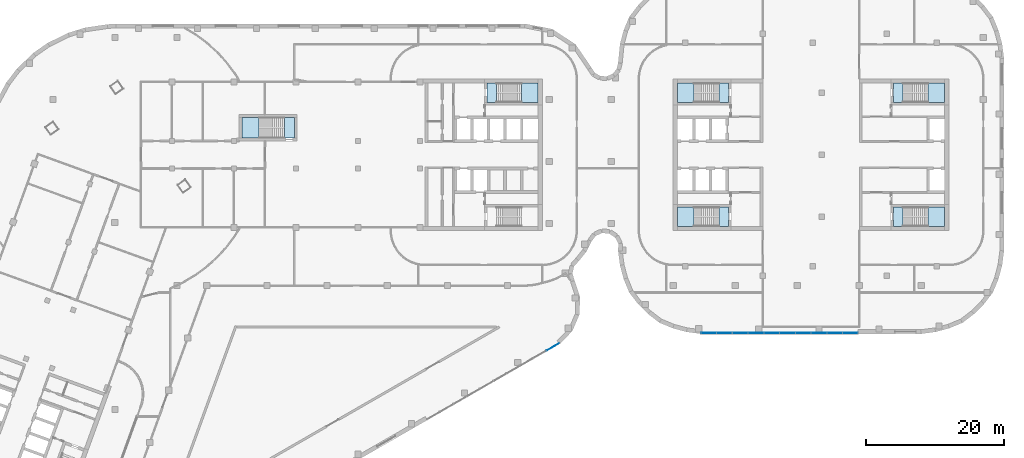
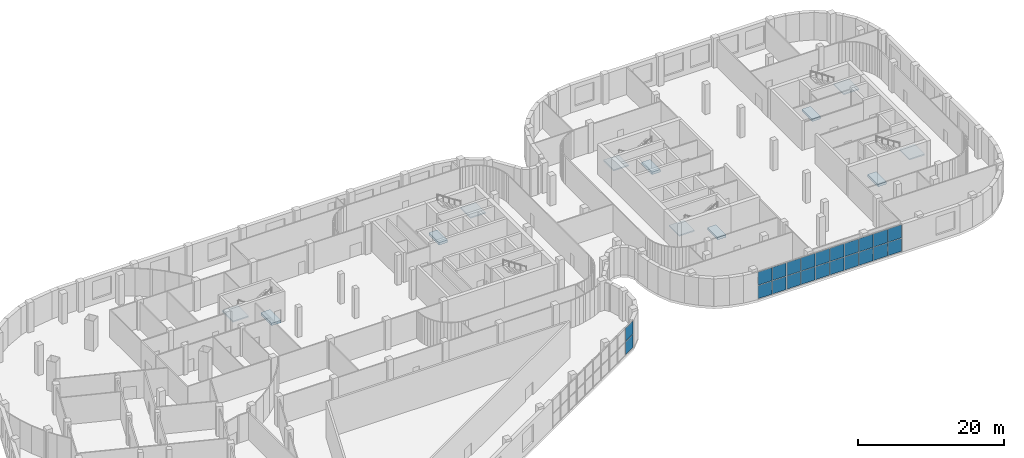
# One storey, part 7 of 24: 22 plates, 12 slabs, 9 elements without a shape of their own.
"""IFC4 building model written with IfcOpenShell, lengths in metres."""

from ifc_helpers import new_model, si_unit, direction, frame, origin, origin_2d, place, context, subcontext, project, spatial, polyline, rectangle, outline, extrude, material, layer, layer_set, type_object, element, aggregate, save


model = new_model("IFC4")

# Units and contexts
model_context = context("Model", 3, precision=1e-05, world=origin(), true_north=direction((0.0, 1.0)))
body_context = subcontext(model_context, "Body", "Model", "MODEL_VIEW")
ifc_project = project(units=[si_unit("LENGTHUNIT", "METRE"), si_unit("AREAUNIT", "SQUARE_METRE"), si_unit("VOLUMEUNIT", "CUBIC_METRE"), si_unit("PLANEANGLEUNIT", "RADIAN"), si_unit("MASSUNIT", "GRAM", prefix="KILO")], contexts=[model_context])

# Site, building, storey
site_placement = place(None, origin())
site = spatial("IfcSite", under=ifc_project, at=site_placement, CompositionType="ELEMENT")
building_placement = place(site_placement, origin())
building = spatial("IfcBuilding", under=site, at=building_placement, Name="Skarvind Civic Tower", CompositionType="ELEMENT")
storey_placement = place(building_placement, frame((0.0, 0.0, 12.5)))
storey = spatial("IfcBuildingStorey", under=building, at=storey_placement, Name="L02", CompositionType="ELEMENT", Elevation=12.5)

# Curtain wall, plates
ifc_material_1 = material(Name="Aluminium alloy 6063 and laminated glass", Category="aluminium")
curtain_wall_type_1 = type_object("IfcCurtainWallType", Name="CW2 TOWER ENTRANCE LOBBY GLAZING", PredefinedType="NOTDEFINED", material=ifc_material_1)
curtain_wall_1_placement = place(storey_placement, origin())
curtain_wall_1 = element("IfcCurtainWall", 1, at=curtain_wall_1_placement, inside=storey, type_object=curtain_wall_type_1, Name="TOWER ENTRANCE LOBBY GLAZING", PredefinedType="NOTDEFINED")
ifc_material_2 = material(Name="Laminated low-iron glass", Category="glass")
ifc_layer_1 = layer(ifc_material_2, 0.031982421875)
ifc_layer_set_1 = layer_set([ifc_layer_1], Name="CW2 GLASS PANEL 32")
plate_type_1 = type_object("IfcPlateType", Name="CW2 GLASS PANEL 32", PredefinedType="CURTAIN_PANEL", material=ifc_layer_set_1)
plate_1_placement = place(storey_placement, frame((109.552734375, 100.10986328125, 0.06982421875), z_axis=(0.0, 0.0, 1.0), x_axis=(-0.866702488463, -0.498825416846, 0.0)))
plate_1 = element("IfcPlate", 2, at=plate_1_placement, type_object=plate_type_1, Name="CW2 panel 1.1", PredefinedType="CURTAIN_PANEL", context=body_context, shape_type="SweptSolid", body=[
    extrude(rectangle(XDim=2.119384765625, YDim=0.031982421875, at=origin_2d()), origin(), (0.0, 0.0, 1.0), 2.195068359375),
])
plate_2_placement = place(storey_placement, frame((109.552734375, 100.10986328125, 2.3349609375), z_axis=(0.0, 0.0, 1.0), x_axis=(-0.866702488463, -0.498825416846, 0.0)))
plate_2 = element("IfcPlate", 3, at=plate_2_placement, type_object=plate_type_1, Name="CW2 panel 1.2", PredefinedType="CURTAIN_PANEL", context=body_context, shape_type="SweptSolid", body=[
    extrude(rectangle(XDim=2.119384765625, YDim=0.031982421875, at=origin_2d()), origin(), (0.0, 0.0, 1.0), 2.195068359375),
])
aggregate(curtain_wall_1, [plate_1, plate_2])

curtain_wall_type_2 = type_object("IfcCurtainWallType", Name="CW6 COMPANION TOWER LOBBY GLAZING", PredefinedType="NOTDEFINED", material=ifc_material_1)
curtain_wall_2_placement = place(storey_placement, origin())
curtain_wall_2 = element("IfcCurtainWall", 4, at=curtain_wall_2_placement, inside=storey, type_object=curtain_wall_type_2, Name="COMPANION TOWER LOBBY GLAZING", PredefinedType="NOTDEFINED")
ifc_layer_2 = layer(ifc_material_2, 0.031982421875)
ifc_layer_set_2 = layer_set([ifc_layer_2], Name="CW6 GLASS PANEL 32")
plate_type_2 = type_object("IfcPlateType", Name="CW6 GLASS PANEL 32", PredefinedType="CURTAIN_PANEL", material=ifc_layer_set_2)
plate_3_placement = place(storey_placement, frame((152.68896484375, 102.110107421875, 0.06982421875), z_axis=(0.0, 0.0, 1.0), x_axis=(-1.0, 0.0, 0.0)))
plate_3 = element("IfcPlate", 5, at=plate_3_placement, type_object=plate_type_2, Name="CW6 panel 1.1", PredefinedType="CURTAIN_PANEL", context=body_context, shape_type="SweptSolid", body=[
    extrude(rectangle(XDim=2.177490234375, YDim=0.031982421875, at=origin_2d()), origin(), (0.0, 0.0, 1.0), 2.195068359375),
])
plate_4_placement = place(storey_placement, frame((152.68896484375, 102.110107421875, 2.3349609375), z_axis=(0.0, 0.0, 1.0), x_axis=(-1.0, 0.0, 0.0)))
plate_4 = element("IfcPlate", 6, at=plate_4_placement, type_object=plate_type_2, Name="CW6 panel 1.2", PredefinedType="CURTAIN_PANEL", context=body_context, shape_type="SweptSolid", body=[
    extrude(rectangle(XDim=2.177490234375, YDim=0.031982421875, at=origin_2d()), origin(), (0.0, 0.0, 1.0), 2.195068359375),
])
plate_5_placement = place(storey_placement, frame((150.423828125, 102.110107421875, 0.06982421875), z_axis=(0.0, 0.0, 1.0), x_axis=(-1.0, 0.0, 0.0)))
plate_5 = element("IfcPlate", 7, at=plate_5_placement, type_object=plate_type_2, Name="CW6 panel 2.1", PredefinedType="CURTAIN_PANEL", context=body_context, shape_type="SweptSolid", body=[
    extrude(rectangle(XDim=2.212646484375, YDim=0.031982421875, at=origin_2d()), origin(), (0.0, 0.0, 1.0), 2.195068359375),
])
plate_6_placement = place(storey_placement, frame((150.423828125, 102.110107421875, 2.3349609375), z_axis=(0.0, 0.0, 1.0), x_axis=(-1.0, 0.0, 0.0)))
plate_6 = element("IfcPlate", 8, at=plate_6_placement, type_object=plate_type_2, Name="CW6 panel 2.2", PredefinedType="CURTAIN_PANEL", context=body_context, shape_type="SweptSolid", body=[
    extrude(rectangle(XDim=2.212646484375, YDim=0.031982421875, at=origin_2d()), origin(), (0.0, 0.0, 1.0), 2.195068359375),
])
plate_7_placement = place(storey_placement, frame((148.141357421875, 102.110107421875, 0.06982421875), z_axis=(0.0, 0.0, 1.0), x_axis=(-1.0, 0.0, 0.0)))
plate_7 = element("IfcPlate", 9, at=plate_7_placement, type_object=plate_type_2, Name="CW6 panel 3.1", PredefinedType="CURTAIN_PANEL", context=body_context, shape_type="SweptSolid", body=[
    extrude(rectangle(XDim=2.212646484375, YDim=0.031982421875, at=origin_2d()), origin(), (0.0, 0.0, 1.0), 2.195068359375),
])
plate_8_placement = place(storey_placement, frame((148.141357421875, 102.110107421875, 2.3349609375), z_axis=(0.0, 0.0, 1.0), x_axis=(-1.0, 0.0, 0.0)))
plate_8 = element("IfcPlate", 10, at=plate_8_placement, type_object=plate_type_2, Name="CW6 panel 3.2", PredefinedType="CURTAIN_PANEL", context=body_context, shape_type="SweptSolid", body=[
    extrude(rectangle(XDim=2.212646484375, YDim=0.031982421875, at=origin_2d()), origin(), (0.0, 0.0, 1.0), 2.195068359375),
])
plate_9_placement = place(storey_placement, frame((145.858642578125, 102.110107421875, 0.06982421875), z_axis=(0.0, 0.0, 1.0), x_axis=(-1.0, 0.0, 0.0)))
plate_9 = element("IfcPlate", 11, at=plate_9_placement, type_object=plate_type_2, Name="CW6 panel 4.1", PredefinedType="CURTAIN_PANEL", context=body_context, shape_type="SweptSolid", body=[
    extrude(rectangle(XDim=2.212646484375, YDim=0.031982421875, at=origin_2d()), origin(), (0.0, 0.0, 1.0), 2.195068359375),
])
plate_10_placement = place(storey_placement, frame((145.858642578125, 102.110107421875, 2.3349609375), z_axis=(0.0, 0.0, 1.0), x_axis=(-1.0, 0.0, 0.0)))
plate_10 = element("IfcPlate", 12, at=plate_10_placement, type_object=plate_type_2, Name="CW6 panel 4.2", PredefinedType="CURTAIN_PANEL", context=body_context, shape_type="SweptSolid", body=[
    extrude(rectangle(XDim=2.212646484375, YDim=0.031982421875, at=origin_2d()), origin(), (0.0, 0.0, 1.0), 2.195068359375),
])
plate_11_placement = place(storey_placement, frame((143.576171875, 102.110107421875, 0.06982421875), z_axis=(0.0, 0.0, 1.0), x_axis=(-1.0, 0.0, 0.0)))
plate_11 = element("IfcPlate", 13, at=plate_11_placement, type_object=plate_type_2, Name="CW6 panel 5.1", PredefinedType="CURTAIN_PANEL", context=body_context, shape_type="SweptSolid", body=[
    extrude(rectangle(XDim=2.212646484375, YDim=0.031982421875, at=origin_2d()), origin(), (0.0, 0.0, 1.0), 2.195068359375),
])
plate_12_placement = place(storey_placement, frame((143.576171875, 102.110107421875, 2.3349609375), z_axis=(0.0, 0.0, 1.0), x_axis=(-1.0, 0.0, 0.0)))
plate_12 = element("IfcPlate", 14, at=plate_12_placement, type_object=plate_type_2, Name="CW6 panel 5.2", PredefinedType="CURTAIN_PANEL", context=body_context, shape_type="SweptSolid", body=[
    extrude(rectangle(XDim=2.212646484375, YDim=0.031982421875, at=origin_2d()), origin(), (0.0, 0.0, 1.0), 2.195068359375),
])
plate_13_placement = place(storey_placement, frame((141.29345703125, 102.110107421875, 0.06982421875), z_axis=(0.0, 0.0, 1.0), x_axis=(-1.0, 0.0, 0.0)))
plate_13 = element("IfcPlate", 15, at=plate_13_placement, type_object=plate_type_2, Name="CW6 panel 6.1", PredefinedType="CURTAIN_PANEL", context=body_context, shape_type="SweptSolid", body=[
    extrude(rectangle(XDim=2.212646484375, YDim=0.031982421875, at=origin_2d()), origin(), (0.0, 0.0, 1.0), 2.195068359375),
])
plate_14_placement = place(storey_placement, frame((141.29345703125, 102.110107421875, 2.3349609375), z_axis=(0.0, 0.0, 1.0), x_axis=(-1.0, 0.0, 0.0)))
plate_14 = element("IfcPlate", 16, at=plate_14_placement, type_object=plate_type_2, Name="CW6 panel 6.2", PredefinedType="CURTAIN_PANEL", context=body_context, shape_type="SweptSolid", body=[
    extrude(rectangle(XDim=2.212646484375, YDim=0.031982421875, at=origin_2d()), origin(), (0.0, 0.0, 1.0), 2.195068359375),
])
plate_15_placement = place(storey_placement, frame((139.010986328125, 102.110107421875, 0.06982421875), z_axis=(0.0, 0.0, 1.0), x_axis=(-1.0, 0.0, 0.0)))
plate_15 = element("IfcPlate", 17, at=plate_15_placement, type_object=plate_type_2, Name="CW6 panel 7.1", PredefinedType="CURTAIN_PANEL", context=body_context, shape_type="SweptSolid", body=[
    extrude(rectangle(XDim=2.212646484375, YDim=0.031982421875, at=origin_2d()), origin(), (0.0, 0.0, 1.0), 2.195068359375),
])
plate_16_placement = place(storey_placement, frame((139.010986328125, 102.110107421875, 2.3349609375), z_axis=(0.0, 0.0, 1.0), x_axis=(-1.0, 0.0, 0.0)))
plate_16 = element("IfcPlate", 18, at=plate_16_placement, type_object=plate_type_2, Name="CW6 panel 7.2", PredefinedType="CURTAIN_PANEL", context=body_context, shape_type="SweptSolid", body=[
    extrude(rectangle(XDim=2.212646484375, YDim=0.031982421875, at=origin_2d()), origin(), (0.0, 0.0, 1.0), 2.195068359375),
])
plate_17_placement = place(storey_placement, frame((136.745849609375, 102.110107421875, 0.06982421875), z_axis=(0.0, 0.0, 1.0), x_axis=(-1.0, 0.0, 0.0)))
plate_17 = element("IfcPlate", 19, at=plate_17_placement, type_object=plate_type_2, Name="CW6 panel 8.1", PredefinedType="CURTAIN_PANEL", context=body_context, shape_type="SweptSolid", body=[
    extrude(rectangle(XDim=2.177490234375, YDim=0.031982421875, at=origin_2d()), origin(), (0.0, 0.0, 1.0), 2.195068359375),
])
plate_18_placement = place(storey_placement, frame((136.745849609375, 102.110107421875, 2.3349609375), z_axis=(0.0, 0.0, 1.0), x_axis=(-1.0, 0.0, 0.0)))
plate_18 = element("IfcPlate", 20, at=plate_18_placement, type_object=plate_type_2, Name="CW6 panel 8.2", PredefinedType="CURTAIN_PANEL", context=body_context, shape_type="SweptSolid", body=[
    extrude(rectangle(XDim=2.177490234375, YDim=0.031982421875, at=origin_2d()), origin(), (0.0, 0.0, 1.0), 2.195068359375),
])
aggregate(curtain_wall_2, [plate_3, plate_4, plate_5, plate_6, plate_7, plate_8, plate_9, plate_10, plate_11, plate_12, plate_13, plate_14, plate_15, plate_16, plate_17, plate_18])

curtain_wall_3_placement = place(storey_placement, origin())
curtain_wall_3 = element("IfcCurtainWall", 21, at=curtain_wall_3_placement, inside=storey, type_object=curtain_wall_type_2, Name="COMPANION TOWER LOBBY GLAZING", PredefinedType="NOTDEFINED")
plate_19_placement = place(storey_placement, frame((134.42822265625, 102.110107421875, 0.06982421875), z_axis=(0.0, 0.0, 1.0), x_axis=(-1.0, 0.0, 0.0)))
plate_19 = element("IfcPlate", 22, at=plate_19_placement, type_object=plate_type_2, Name="CW6 panel 1.1", PredefinedType="CURTAIN_PANEL", context=body_context, shape_type="SweptSolid", body=[
    extrude(rectangle(XDim=2.177490234375, YDim=0.031982421875, at=origin_2d()), origin(), (0.0, 0.0, 1.0), 2.195068359375),
])
plate_20_placement = place(storey_placement, frame((134.42822265625, 102.110107421875, 2.3349609375), z_axis=(0.0, 0.0, 1.0), x_axis=(-1.0, 0.0, 0.0)))
plate_20 = element("IfcPlate", 23, at=plate_20_placement, type_object=plate_type_2, Name="CW6 panel 1.2", PredefinedType="CURTAIN_PANEL", context=body_context, shape_type="SweptSolid", body=[
    extrude(rectangle(XDim=2.177490234375, YDim=0.031982421875, at=origin_2d()), origin(), (0.0, 0.0, 1.0), 2.195068359375),
])
plate_21_placement = place(storey_placement, frame((132.1806640625, 102.110107421875, 0.06982421875), z_axis=(0.0, 0.0, 1.0), x_axis=(-1.0, 0.0, 0.0)))
plate_21 = element("IfcPlate", 24, at=plate_21_placement, type_object=plate_type_2, Name="CW6 panel 2.1", PredefinedType="CURTAIN_PANEL", context=body_context, shape_type="SweptSolid", body=[
    extrude(rectangle(XDim=2.177490234375, YDim=0.031982421875, at=origin_2d()), origin(), (0.0, 0.0, 1.0), 2.195068359375),
])
plate_22_placement = place(storey_placement, frame((132.1806640625, 102.110107421875, 2.3349609375), z_axis=(0.0, 0.0, 1.0), x_axis=(-1.0, 0.0, 0.0)))
plate_22 = element("IfcPlate", 25, at=plate_22_placement, type_object=plate_type_2, Name="CW6 panel 2.2", PredefinedType="CURTAIN_PANEL", context=body_context, shape_type="SweptSolid", body=[
    extrude(rectangle(XDim=2.177490234375, YDim=0.031982421875, at=origin_2d()), origin(), (0.0, 0.0, 1.0), 2.195068359375),
])
aggregate(curtain_wall_3, [plate_19, plate_20, plate_21, plate_22])

# Slabs
ifc_material_3 = material(Name="Concrete C40/50", Category="concrete")
ifc_layer_3 = layer(ifc_material_3, 0.39990234375)
ifc_layer_set_3 = layer_set([ifc_layer_3], Name="Stair floor landing slab 400")
slab_type_1 = type_object("IfcSlabType", Name="Stair floor landing slab 400", PredefinedType="LANDING", material=ifc_layer_set_3)
slab_1_placement = place(storey_placement, frame((0.0, 0.0, -0.39990234375)))
element("IfcSlab", 26, at=slab_1_placement, inside=storey, type_object=slab_type_1, Name="Stair floor landing", PredefinedType="LANDING", context=body_context, shape_type="SweptSolid", body=[
    extrude(outline(polyline([(101.3505859375, 138.400634765625), (101.3505859375, 135.599365234375), (99.99951171875, 135.599365234375), (99.99951171875, 138.400634765625), (101.3505859375, 138.400634765625)])), origin(), (0.0, 0.0, 1.0), 0.39990234375),
])
slab_2_placement = place(storey_placement, frame((0.0, 0.0, -0.39990234375)))
element("IfcSlab", 27, at=slab_2_placement, inside=storey, type_object=slab_type_1, Name="Stair floor landing", PredefinedType="LANDING", context=body_context, shape_type="SweptSolid", body=[
    extrude(outline(polyline([(133.6494140625, 117.599365234375), (133.6494140625, 120.400634765625), (135.00048828125, 120.400634765625), (135.00048828125, 117.599365234375), (133.6494140625, 117.599365234375)])), origin(), (0.0, 0.0, 1.0), 0.39990234375),
])
slab_3_placement = place(storey_placement, frame((0.0, 0.0, -0.39990234375)))
element("IfcSlab", 28, at=slab_3_placement, inside=storey, type_object=slab_type_1, Name="Stair floor landing", PredefinedType="LANDING", context=body_context, shape_type="SweptSolid", body=[
    extrude(outline(polyline([(133.6494140625, 135.599365234375), (133.6494140625, 138.400634765625), (135.00048828125, 138.400634765625), (135.00048828125, 135.599365234375), (133.6494140625, 135.599365234375)])), origin(), (0.0, 0.0, 1.0), 0.39990234375),
])
slab_4_placement = place(storey_placement, frame((0.0, 0.0, -0.39990234375)))
element("IfcSlab", 29, at=slab_4_placement, inside=storey, type_object=slab_type_1, Name="Stair floor landing", PredefinedType="LANDING", context=body_context, shape_type="SweptSolid", body=[
    extrude(outline(polyline([(160.3505859375, 138.400634765625), (160.3505859375, 135.599365234375), (158.99951171875, 135.599365234375), (158.99951171875, 138.400634765625), (160.3505859375, 138.400634765625)])), origin(), (0.0, 0.0, 1.0), 0.39990234375),
])
slab_5_placement = place(storey_placement, frame((0.0, 0.0, -0.39990234375)))
element("IfcSlab", 30, at=slab_5_placement, inside=storey, type_object=slab_type_1, Name="Stair floor landing", PredefinedType="LANDING", context=body_context, shape_type="SweptSolid", body=[
    extrude(outline(polyline([(160.3505859375, 120.400634765625), (160.3505859375, 117.599365234375), (158.99951171875, 117.599365234375), (158.99951171875, 120.400634765625), (160.3505859375, 120.400634765625)])), origin(), (0.0, 0.0, 1.0), 0.39990234375),
])
slab_6_placement = place(storey_placement, frame((0.0, 0.0, -0.39990234375)))
element("IfcSlab", 31, at=slab_6_placement, inside=storey, type_object=slab_type_1, Name="Stair floor landing", PredefinedType="LANDING", context=body_context, shape_type="SweptSolid", body=[
    extrude(outline(polyline([(70.54931640625, 130.3994140625), (70.54931640625, 133.400634765625), (72.00048828125, 133.400634765625), (72.00048828125, 130.3994140625), (70.54931640625, 130.3994140625)])), origin(), (0.0, 0.0, 1.0), 0.39990234375),
])

# Stair, slab
stair_type_1 = type_object("IfcStairType", Name="Exit stair, half-turn, concrete", PredefinedType="HALF_TURN_STAIR", material=ifc_material_3)
stair_1_placement = place(storey_placement, origin())
stair_1 = element("IfcStair", 32, at=stair_1_placement, inside=storey, type_object=stair_type_1, Name="Exit stair C1S", PredefinedType="HALF_TURN_STAIR")
ifc_layer_4 = layer(ifc_material_3, 0.199951171875)
ifc_layer_set_4 = layer_set([ifc_layer_4], Name="Stair half landing slab")
slab_type_2 = type_object("IfcSlabType", Name="Stair half landing slab", PredefinedType="LANDING", material=ifc_layer_set_4)
slab_7_placement = place(storey_placement, frame((0.0, 0.0, 2.300048828125)))
slab_7 = element("IfcSlab", 33, at=slab_7_placement, type_object=slab_type_2, Name="ST-C1S landing 1", PredefinedType="LANDING", context=body_context, shape_type="SweptSolid", body=[
    extrude(outline(polyline([(104.989501953125, 135.599365234375), (104.989501953125, 138.400634765625), (107.400634765625, 138.400634765625), (107.400634765625, 135.599365234375), (104.989501953125, 135.599365234375)])), origin(), (0.0, 0.0, 1.0), 0.199951171875),
])
aggregate(stair_1, [slab_7])

stair_2_placement = place(storey_placement, origin())
stair_2 = element("IfcStair", 34, at=stair_2_placement, inside=storey, type_object=stair_type_1, Name="Exit stair CAS", PredefinedType="HALF_TURN_STAIR")
slab_8_placement = place(storey_placement, frame((0.0, 0.0, 2.300048828125)))
slab_8 = element("IfcSlab", 35, at=slab_8_placement, type_object=slab_type_2, Name="ST-CAS landing 1", PredefinedType="LANDING", context=body_context, shape_type="SweptSolid", body=[
    extrude(outline(polyline([(130.010498046875, 120.400634765625), (130.010498046875, 117.599365234375), (127.599365234375, 117.599365234375), (127.599365234375, 120.400634765625), (130.010498046875, 120.400634765625)])), origin(), (0.0, 0.0, 1.0), 0.199951171875),
])
aggregate(stair_2, [slab_8])

stair_3_placement = place(storey_placement, origin())
stair_3 = element("IfcStair", 36, at=stair_3_placement, inside=storey, type_object=stair_type_1, Name="Exit stair CAN", PredefinedType="HALF_TURN_STAIR")
slab_9_placement = place(storey_placement, frame((0.0, 0.0, 2.300048828125)))
slab_9 = element("IfcSlab", 37, at=slab_9_placement, type_object=slab_type_2, Name="ST-CAN landing 1", PredefinedType="LANDING", context=body_context, shape_type="SweptSolid", body=[
    extrude(outline(polyline([(130.010498046875, 138.400634765625), (130.010498046875, 135.599365234375), (127.599365234375, 135.599365234375), (127.599365234375, 138.400634765625), (130.010498046875, 138.400634765625)])), origin(), (0.0, 0.0, 1.0), 0.199951171875),
])
aggregate(stair_3, [slab_9])

stair_4_placement = place(storey_placement, origin())
stair_4 = element("IfcStair", 38, at=stair_4_placement, inside=storey, type_object=stair_type_1, Name="Exit stair CBS", PredefinedType="HALF_TURN_STAIR")
slab_10_placement = place(storey_placement, frame((0.0, 0.0, 2.300048828125)))
slab_10 = element("IfcSlab", 39, at=slab_10_placement, type_object=slab_type_2, Name="ST-CBS landing 1", PredefinedType="LANDING", context=body_context, shape_type="SweptSolid", body=[
    extrude(outline(polyline([(163.989501953125, 135.599365234375), (163.989501953125, 138.400634765625), (166.400634765625, 138.400634765625), (166.400634765625, 135.599365234375), (163.989501953125, 135.599365234375)])), origin(), (0.0, 0.0, 1.0), 0.199951171875),
])
aggregate(stair_4, [slab_10])

stair_5_placement = place(storey_placement, origin())
stair_5 = element("IfcStair", 40, at=stair_5_placement, inside=storey, type_object=stair_type_1, Name="Exit stair CBN", PredefinedType="HALF_TURN_STAIR")
slab_11_placement = place(storey_placement, frame((0.0, 0.0, 2.300048828125)))
slab_11 = element("IfcSlab", 41, at=slab_11_placement, type_object=slab_type_2, Name="ST-CBN landing 1", PredefinedType="LANDING", context=body_context, shape_type="SweptSolid", body=[
    extrude(outline(polyline([(163.989501953125, 117.599365234375), (163.989501953125, 120.400634765625), (166.400634765625, 120.400634765625), (166.400634765625, 117.599365234375), (163.989501953125, 117.599365234375)])), origin(), (0.0, 0.0, 1.0), 0.199951171875),
])
aggregate(stair_5, [slab_11])

stair_type_2 = type_object("IfcStairType", Name="Exit stair 1450, half-turn, concrete", PredefinedType="HALF_TURN_STAIR", material=ifc_material_3)
stair_6_placement = place(storey_placement, origin())
stair_6 = element("IfcStair", 42, at=stair_6_placement, inside=storey, type_object=stair_type_2, Name="Exit stair CM", PredefinedType="HALF_TURN_STAIR")
slab_12_placement = place(storey_placement, frame((0.0, 0.0, 2.300048828125)))
slab_12 = element("IfcSlab", 43, at=slab_12_placement, type_object=slab_type_2, Name="ST-CM landing 1", PredefinedType="LANDING", context=body_context, shape_type="SweptSolid", body=[
    extrude(outline(polyline([(66.91064453125, 133.400634765625), (66.91064453125, 130.3994140625), (64.3994140625, 130.3994140625), (64.3994140625, 133.400634765625), (66.91064453125, 133.400634765625)])), origin(), (0.0, 0.0, 1.0), 0.199951171875),
])
aggregate(stair_6, [slab_12])

save(model, "model.ifc")
